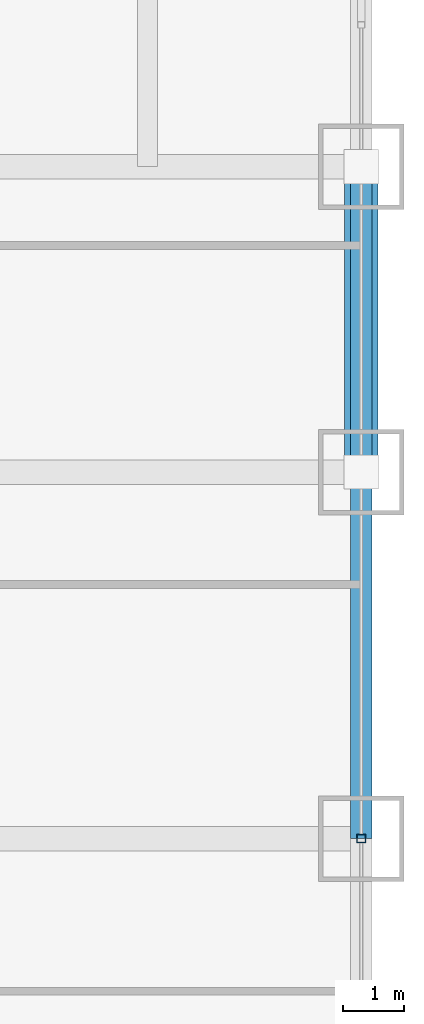
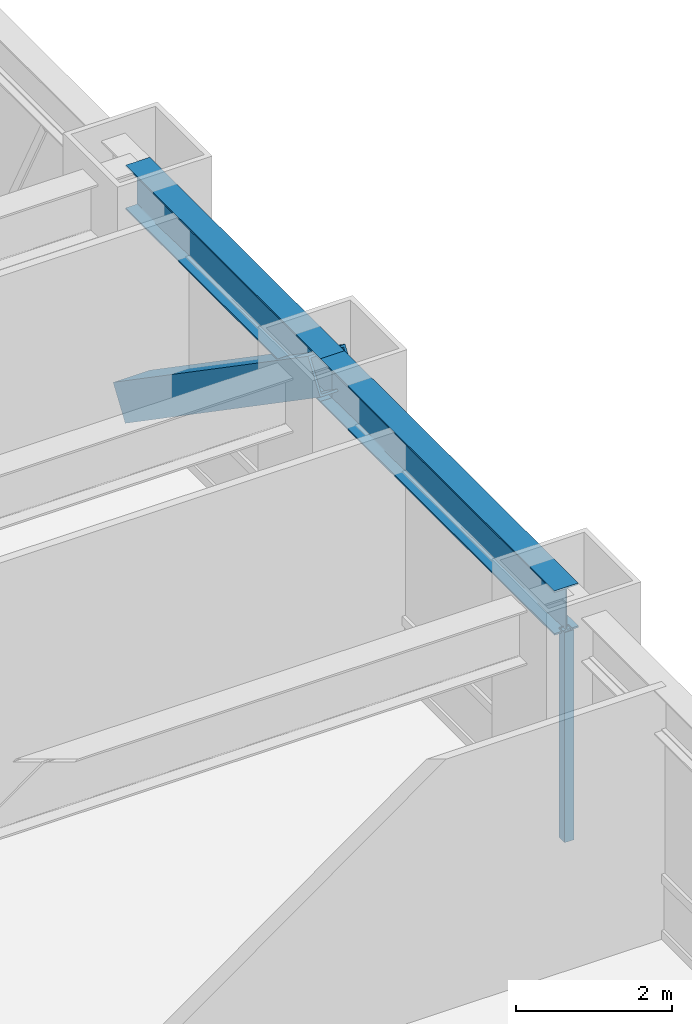
# One storey, part 14 of 32: 2 beams, 2 members, 1 element without a shape of its own.
"""IFC4 building model written with IfcOpenShell, lengths in metres."""

from ifc_helpers import new_model, si_unit, direction, frame, origin, origin_2d, place, context, subcontext, project, spatial, hollow_rectangle, i_section, extrude, source, transform, mapped, material, material_profile, profile_set, type_object, element, aggregate, save


model = new_model("IFC4")

# Units and contexts
model_context = context("Model", 3, precision=1e-05, world=origin(), true_north=direction((0.0, 1.0)))
body_context = subcontext(model_context, "Body", "Model", "MODEL_VIEW")
ifc_project = project(units=[si_unit("LENGTHUNIT", "METRE"), si_unit("AREAUNIT", "SQUARE_METRE"), si_unit("VOLUMEUNIT", "CUBIC_METRE"), si_unit("PLANEANGLEUNIT", "RADIAN"), si_unit("MASSUNIT", "GRAM", prefix="KILO")], contexts=[model_context])

# Site, building, storey
site_placement = place(None, origin())
site = spatial("IfcSite", under=ifc_project, at=site_placement, CompositionType="ELEMENT")
building_placement = place(site_placement, origin())
building = spatial("IfcBuilding", under=site, at=building_placement, Name="Khorayat Bourse Tower", CompositionType="ELEMENT")
storey_placement = place(building_placement, frame((0.0, 0.0, 70.39990234375)))
storey = spatial("IfcBuildingStorey", under=building, at=storey_placement, Name="L15", CompositionType="ELEMENT", Elevation=70.39990234375)

# Beams
ifc_material_1 = material(Name="Steel ASTM A992 Grade 50", Category="steel")
ifc_material_profile_1 = material_profile(ifc_material_1, i_section(OverallWidth=0.35498046875, OverallDepth=0.695068359375, WebThickness=0.015380859375, FlangeThickness=0.02490234375, FilletRadius=0.01806640625, at=origin_2d()), Name="W690X217")
ifc_profile_set_1 = profile_set([ifc_material_profile_1], Name="Steel ASTM A992 Grade 50")
beam_type = type_object("IfcBeamType", Name="BM-SPAN-690", PredefinedType="SPANDREL", material=ifc_profile_set_1)
shared_shape_1 = source(origin(), body_context, "Body", "SweptSolid", [
    extrude(i_section(OverallWidth=0.35498046875, OverallDepth=0.695068359375, WebThickness=0.015380859375, FlangeThickness=0.02490234375, FilletRadius=0.01806640625, at=origin_2d()), origin(), (0.0, 0.0, 1.0), 5.0),
])
beam_1_placement = place(storey_placement, frame((32.0, 6.0, 3.592529296875), z_axis=(0.0, 1.0, 0.0), x_axis=(-1.0, 0.0, 0.0)))
element("IfcBeam", 1, at=beam_1_placement, inside=storey, type_object=beam_type, Name="L15 BM-SPAN-690 BM-L15-SPN-039", PredefinedType="SPANDREL", context=body_context, shape_type="MappedRepresentation", body=[
    mapped(shared_shape_1, transform((0.0, 0.0, 0.0), scale=1.0)),
])
shared_shape_2 = source(origin(), body_context, "Body", "SweptSolid", [
    extrude(i_section(OverallWidth=0.35498046875, OverallDepth=0.695068359375, WebThickness=0.015380859375, FlangeThickness=0.02490234375, FilletRadius=0.01806640625, at=origin_2d()), origin(), (0.0, 0.0, 1.0), 6.0),
])
beam_2_placement = place(storey_placement, frame((32.0, 0.0, 3.592529296875), z_axis=(0.0, 1.0, 0.0), x_axis=(-1.0, 0.0, 0.0)))
element("IfcBeam", 2, at=beam_2_placement, inside=storey, type_object=beam_type, Name="L15 BM-SPAN-690 BM-L15-SPN-038", PredefinedType="SPANDREL", context=body_context, shape_type="MappedRepresentation", body=[
    mapped(shared_shape_2, transform((0.0, 0.0, 0.0), scale=1.0)),
])

# Member
ifc_material_2 = material(Name="Steel EN 10025-4 S460M", Category="steel")
ifc_material_profile_2 = material_profile(ifc_material_2, hollow_rectangle(XDim=0.550048828125, YDim=0.550048828125, WallThickness=0.031982421875, at=origin_2d()), Name="HSS 550x550x32")
ifc_profile_set_2 = profile_set([ifc_material_profile_2], Name="Steel EN 10025-4 S460M")
member_type_1 = type_object("IfcMemberType", Name="MBR-TUBE-550", PredefinedType="BRACE", material=ifc_profile_set_2)
shared_shape_3 = source(origin(), body_context, "Body", "SweptSolid", [
    extrude(hollow_rectangle(XDim=0.550048828125, YDim=0.550048828125, WallThickness=0.031982421875, at=origin_2d()), origin(), (0.0, 0.0, 1.0), 6.069091796875),
])
member_1_placement = place(storey_placement, frame((32.0, 6.0, 3.690185546875), z_axis=(0.0, 0.823835295996, -0.566829255659), x_axis=(-1.0, 0.0, 0.0)))
element("IfcMember", 3, at=member_1_placement, inside=storey, type_object=member_type_1, Name="L15 Perimeter Tube Brace 08", PredefinedType="BRACE", context=body_context, shape_type="MappedRepresentation", body=[
    mapped(shared_shape_3, transform((0.0, 0.0, 0.0), scale=1.0)),
])

# Curtain wall, member
ifc_material_3 = material(Name="Aluminium EN AW-6063 T6", Category="aluminium")
curtain_wall_type = type_object("IfcCurtainWallType", Name="CW-SYS-02", PredefinedType="NOTDEFINED", material=ifc_material_3)
curtain_wall_placement = place(storey_placement, origin())
curtain_wall = element("IfcCurtainWall", 4, at=curtain_wall_placement, inside=storey, type_object=curtain_wall_type, Name="L15 Curtain Wall CW-L15-E1", PredefinedType="NOTDEFINED")
ifc_material_profile_3 = material_profile(ifc_material_3, hollow_rectangle(XDim=0.139892578125, YDim=0.139892578125, WallThickness=0.006103515625, at=origin_2d()), Name="ALU 140x140x6")
ifc_profile_set_3 = profile_set([ifc_material_profile_3], Name="Aluminium EN AW-6063 T6")
member_type_2 = type_object("IfcMemberType", Name="CWM-VERT-140", PredefinedType="MULLION", material=ifc_profile_set_3)
shared_shape_4 = source(origin(), body_context, "Body", "SweptSolid", [
    extrude(hollow_rectangle(XDim=0.139892578125, YDim=0.139892578125, WallThickness=0.006103515625, at=origin_2d()), origin(), (0.0, 0.0, 1.0), 3.2900390625),
])
member_2_placement = place(storey_placement, frame((32.0, 0.0, 0.0), z_axis=(0.0, 0.0, 1.0), x_axis=(-1.0, 0.0, 0.0)))
member_2 = element("IfcMember", 5, at=member_2_placement, type_object=member_type_2, Name="CW-L15-E1 Vertical Mullion 2", PredefinedType="MULLION", context=body_context, shape_type="MappedRepresentation", body=[
    mapped(shared_shape_4, transform((0.0, 0.0, 0.0), scale=1.0)),
])
aggregate(curtain_wall, [member_2])

save(model, "model.ifc")
